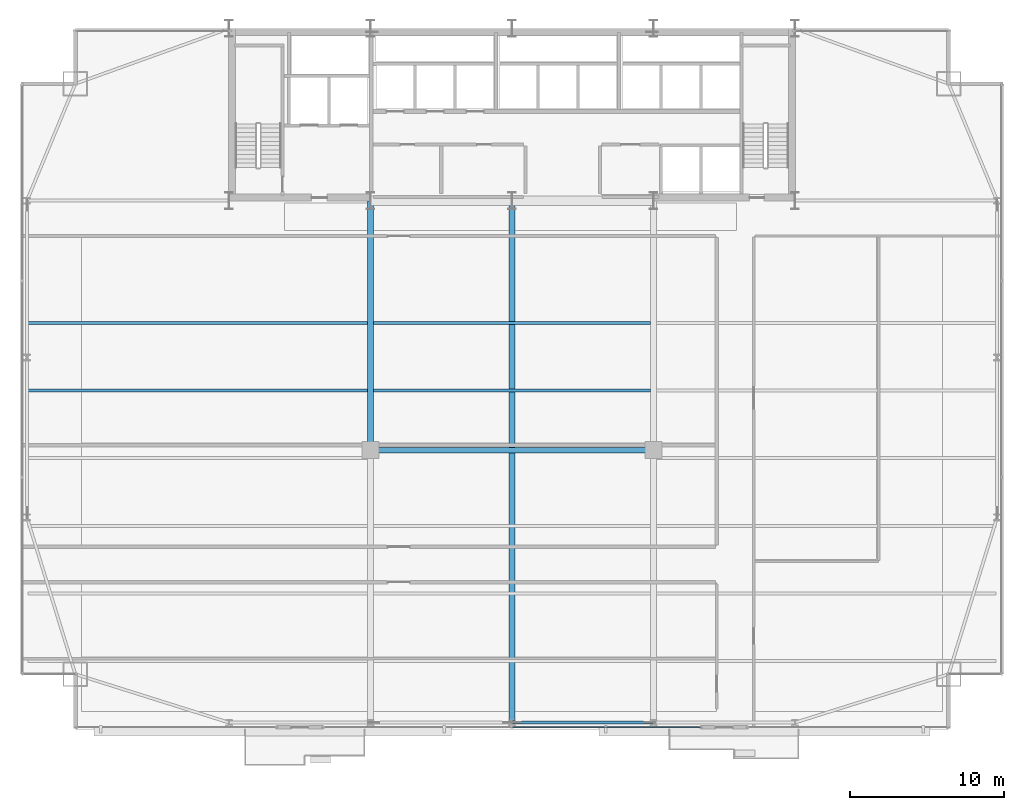
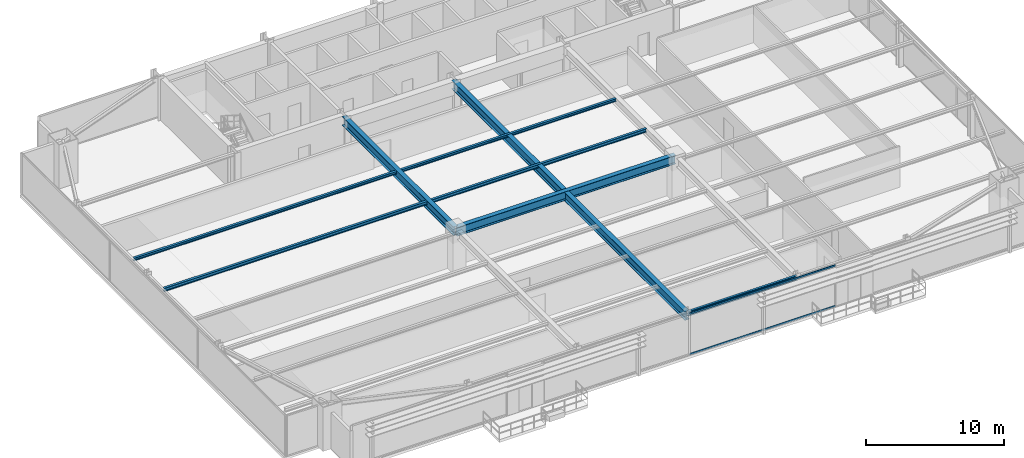
# One storey, part 11 of 31: 8 beams, 2 members, 1 element without a shape of its own.
"""IFC4 building model written with IfcOpenShell, lengths in metres."""

from ifc_helpers import new_model, si_unit, direction, frame, origin, origin_2d, place, context, subcontext, project, spatial, hollow_rectangle, i_section, extrude, source, transform, mapped, material, layer, layer_set, material_profile, profile_set, type_object, type_shapes, element, aggregate, save


model = new_model("IFC4")

# Units and contexts
model_context = context("Model", 3, precision=1e-05, world=origin(), true_north=direction((0.0, 1.0)))
body_context = subcontext(model_context, "Body", "Model", "MODEL_VIEW")
ifc_project = project(units=[si_unit("LENGTHUNIT", "METRE"), si_unit("AREAUNIT", "SQUARE_METRE"), si_unit("VOLUMEUNIT", "CUBIC_METRE"), si_unit("PLANEANGLEUNIT", "RADIAN"), si_unit("MASSUNIT", "GRAM", prefix="KILO")], contexts=[model_context])

# Site, building, storey
site_placement = place(None, origin())
site = spatial("IfcSite", under=ifc_project, at=site_placement, CompositionType="ELEMENT")
building_placement = place(site_placement, origin())
building = spatial("IfcBuilding", under=site, at=building_placement, Name="Varnel Quay Broadcast Tower", CompositionType="ELEMENT")
storey_placement = place(building_placement, frame((0.0, 0.0, 39.300048828125)))
storey = spatial("IfcBuildingStorey", under=building, at=storey_placement, Name="L08", CompositionType="ELEMENT", Elevation=39.300048828125)

# Beams
ifc_material_1 = material(Name="Structural Steel CSA G40.21 350W", Category="steel")
ifc_material_profile_1 = material_profile(ifc_material_1, i_section(OverallWidth=0.180908203125, OverallDepth=0.4169921875, WebThickness=0.010986328125, FlangeThickness=0.018310546875, FilletRadius=0.011962890625, at=origin_2d()), Name="W410X85")
ifc_profile_set_1 = profile_set([ifc_material_profile_1], Name="Structural Steel CSA G40.21 350W")
beam_type_1 = type_object("IfcBeamType", Name="Beam_W410X85", PredefinedType="SPANDREL", material=ifc_profile_set_1)
shared_shape_1 = source(origin(), body_context, "Body", "SweptSolid", [
    extrude(i_section(OverallWidth=0.180908203125, OverallDepth=0.4169921875, WebThickness=0.010986328125, FlangeThickness=0.018310546875, FilletRadius=0.011962890625, at=origin_2d()), origin(), (0.0, 0.0, 1.0), 9.159912109375),
])
type_shapes(beam_type_1, [shared_shape_1])
beam_1_placement = place(storey_placement, frame((34.02001953125, 1.64990234375, 3.44140625), z_axis=(1.0, 0.0, 0.0), x_axis=(0.0, 1.0, 0.0)))
element("IfcBeam", 1, at=beam_1_placement, inside=storey, type_object=beam_type_1, Name="L08 South Spandrel TC-S3-TC-S4", PredefinedType="SPANDREL", context=body_context, shape_type="MappedRepresentation", body=[
    mapped(shared_shape_1, transform((0.0, 0.0, 0.0), x_axis=(1.0, 0.0, 0.0), y_axis=(0.0, 1.0, 0.0), z_axis=(0.0, 0.0, 1.0), scale=1.0)),
])
ifc_material_profile_2 = material_profile(ifc_material_1, i_section(OverallWidth=0.381103515625, OverallDepth=0.77294921875, WebThickness=0.0166015625, FlangeThickness=0.027587890625, FilletRadius=0.01806640625, at=origin_2d()), Name="W760X257")
ifc_profile_set_2 = profile_set([ifc_material_profile_2], Name="Structural Steel CSA G40.21 350W")
beam_type_2 = type_object("IfcBeamType", Name="Girder_W760X257", PredefinedType="BEAM", material=ifc_profile_set_2)
shared_shape_2 = source(origin(), body_context, "Body", "SweptSolid", [
    extrude(i_section(OverallWidth=0.381103515625, OverallDepth=0.77294921875, WebThickness=0.0166015625, FlangeThickness=0.027587890625, FilletRadius=0.01806640625, at=origin_2d()), origin(), (0.0, 0.0, 1.0), 16.190185546875),
])
beam_2_placement = place(storey_placement, frame((24.800048828125, 19.389892578125, 3.263427734375), z_axis=(0.0, 1.0, 0.0), x_axis=(-1.0, 0.0, 0.0)))
element("IfcBeam", 2, at=beam_2_placement, inside=storey, type_object=beam_type_2, Name="L08 Primary Girder IC-01-CC-S2", PredefinedType="BEAM", context=body_context, shape_type="MappedRepresentation", body=[
    mapped(shared_shape_2, transform((0.0, 0.0, 0.0), x_axis=(1.0, 0.0, 0.0), y_axis=(0.0, 1.0, 0.0), z_axis=(0.0, 0.0, 1.0), scale=1.0)),
])
shared_shape_3 = source(origin(), body_context, "Body", "SweptSolid", [
    extrude(i_section(OverallWidth=0.381103515625, OverallDepth=0.77294921875, WebThickness=0.0166015625, FlangeThickness=0.027587890625, FilletRadius=0.01806640625, at=origin_2d()), origin(), (0.0, 0.0, 1.0), 18.35986328125),
])
beam_3_placement = place(storey_placement, frame((24.820068359375, 19.3701171875, 3.263427734375), z_axis=(1.0, 0.0, 0.0), x_axis=(0.0, 1.0, 0.0)))
element("IfcBeam", 3, at=beam_3_placement, inside=storey, type_object=beam_type_2, Name="L08 Interior Spine Girder", PredefinedType="BEAM", context=body_context, shape_type="MappedRepresentation", body=[
    mapped(shared_shape_3, transform((0.0, 0.0, 0.0), x_axis=(1.0, 0.0, 0.0), y_axis=(0.0, 1.0, 0.0), z_axis=(0.0, 0.0, 1.0), scale=1.0)),
])
shared_shape_4 = source(origin(), body_context, "Body", "SweptSolid", [
    extrude(i_section(OverallWidth=0.381103515625, OverallDepth=0.77294921875, WebThickness=0.0166015625, FlangeThickness=0.027587890625, FilletRadius=0.01806640625, at=origin_2d()), origin(), (0.0, 0.0, 1.0), 33.91015625),
])
type_shapes(beam_type_2, [shared_shape_2, shared_shape_3, shared_shape_4])
beam_4_placement = place(storey_placement, frame((34.0, 1.669921875, 3.263427734375), z_axis=(0.0, 1.0, 0.0), x_axis=(-1.0, 0.0, 0.0)))
element("IfcBeam", 4, at=beam_4_placement, inside=storey, type_object=beam_type_2, Name="L08 Central Bay Girder", PredefinedType="BEAM", context=body_context, shape_type="MappedRepresentation", body=[
    mapped(shared_shape_4, transform((0.0, 0.0, 0.0), x_axis=(1.0, 0.0, 0.0), y_axis=(0.0, 1.0, 0.0), z_axis=(0.0, 0.0, 1.0), scale=1.0)),
])
ifc_material_profile_3 = material_profile(ifc_material_1, i_section(OverallWidth=0.202880859375, OverallDepth=0.302978515625, WebThickness=0.007568359375, FlangeThickness=0.01318359375, FilletRadius=0.011962890625, at=origin_2d()), Name="W310X60")
ifc_profile_set_3 = profile_set([ifc_material_profile_3], Name="Structural Steel CSA G40.21 350W")
beam_type_3 = type_object("IfcBeamType", Name="Beam_W310X60", PredefinedType="JOIST", material=ifc_profile_set_3)
shared_shape_5 = source(origin(), body_context, "Body", "SweptSolid", [
    extrude(i_section(OverallWidth=0.202880859375, OverallDepth=0.302978515625, WebThickness=0.007568359375, FlangeThickness=0.01318359375, FilletRadius=0.011962890625, at=origin_2d()), origin(), (0.0, 0.0, 1.0), 22.0791015625),
])
beam_5_placement = place(storey_placement, frame((2.535400390625, 23.25, 3.49853515625), z_axis=(1.0, 0.0, 0.0), x_axis=(0.0, 1.0, 0.0)))
element("IfcBeam", 5, at=beam_5_placement, inside=storey, type_object=beam_type_3, Name="L08 West Floor Joist 5", PredefinedType="JOIST", context=body_context, shape_type="MappedRepresentation", body=[
    mapped(shared_shape_5, transform((0.0, 0.0, 0.0), x_axis=(1.0, 0.0, 0.0), y_axis=(0.0, 1.0, 0.0), z_axis=(0.0, 0.0, 1.0), scale=1.0)),
])
shared_shape_6 = source(origin(), body_context, "Body", "SweptSolid", [
    extrude(i_section(OverallWidth=0.202880859375, OverallDepth=0.302978515625, WebThickness=0.007568359375, FlangeThickness=0.01318359375, FilletRadius=0.011962890625, at=origin_2d()), origin(), (0.0, 0.0, 1.0), 18.02880859375),
])
type_shapes(beam_type_3, [shared_shape_5, shared_shape_6])
beam_6_placement = place(storey_placement, frame((24.985595703125, 23.25, 3.49853515625), z_axis=(1.0, 0.0, 0.0), x_axis=(0.0, 1.0, 0.0)))
element("IfcBeam", 6, at=beam_6_placement, inside=storey, type_object=beam_type_3, Name="L08 Central Floor Joist 5", PredefinedType="JOIST", context=body_context, shape_type="MappedRepresentation", body=[
    mapped(shared_shape_6, transform((0.0, 0.0, 0.0), x_axis=(1.0, 0.0, 0.0), y_axis=(0.0, 1.0, 0.0), z_axis=(0.0, 0.0, 1.0), scale=1.0)),
])
ifc_material_profile_4 = material_profile(ifc_material_1, i_section(OverallWidth=0.201904296875, OverallDepth=0.2470703125, WebThickness=0.00732421875, FlangeThickness=0.010986328125, FilletRadius=0.010986328125, at=origin_2d()), Name="W250X49")
ifc_profile_set_4 = profile_set([ifc_material_profile_4], Name="Structural Steel CSA G40.21 350W")
beam_type_4 = type_object("IfcBeamType", Name="Beam_W250X49", PredefinedType="JOIST", material=ifc_profile_set_4)
shared_shape_7 = source(origin(), body_context, "Body", "SweptSolid", [
    extrude(i_section(OverallWidth=0.201904296875, OverallDepth=0.2470703125, WebThickness=0.00732421875, FlangeThickness=0.010986328125, FilletRadius=0.010986328125, at=origin_2d()), origin(), (0.0, 0.0, 1.0), 22.0791015625),
])
beam_7_placement = place(storey_placement, frame((2.535400390625, 27.64990234375, 3.5263671875), z_axis=(1.0, 0.0, 0.0), x_axis=(0.0, 1.0, 0.0)))
element("IfcBeam", 7, at=beam_7_placement, inside=storey, type_object=beam_type_4, Name="L08 West Floor Joist 6", PredefinedType="JOIST", context=body_context, shape_type="MappedRepresentation", body=[
    mapped(shared_shape_7, transform((0.0, 0.0, 0.0), x_axis=(1.0, 0.0, 0.0), y_axis=(0.0, 1.0, 0.0), z_axis=(0.0, 0.0, 1.0), scale=1.0)),
])
shared_shape_8 = source(origin(), body_context, "Body", "SweptSolid", [
    extrude(i_section(OverallWidth=0.201904296875, OverallDepth=0.2470703125, WebThickness=0.00732421875, FlangeThickness=0.010986328125, FilletRadius=0.010986328125, at=origin_2d()), origin(), (0.0, 0.0, 1.0), 18.02880859375),
])
type_shapes(beam_type_4, [shared_shape_7, shared_shape_8])
beam_8_placement = place(storey_placement, frame((24.985595703125, 27.64990234375, 3.5263671875), z_axis=(1.0, 0.0, 0.0), x_axis=(0.0, 1.0, 0.0)))
element("IfcBeam", 8, at=beam_8_placement, inside=storey, type_object=beam_type_4, Name="L08 Central Floor Joist 6", PredefinedType="JOIST", context=body_context, shape_type="MappedRepresentation", body=[
    mapped(shared_shape_8, transform((0.0, 0.0, 0.0), x_axis=(1.0, 0.0, 0.0), y_axis=(0.0, 1.0, 0.0), z_axis=(0.0, 0.0, 1.0), scale=1.0)),
])

# Curtain wall, members
ifc_material_2 = material(Name="Anodised Bronze Aluminium 6063-T6", Category="aluminium")
ifc_layer = layer(ifc_material_2, 0.18994140625, Name="Anodised Bronze Aluminium 6063-T6")
ifc_layer_set = layer_set([ifc_layer], Name="Anodised Bronze Aluminium 6063-T6")
curtain_wall_type = type_object("IfcCurtainWallType", Name="CW_LowerTower", PredefinedType="NOTDEFINED", material=ifc_layer_set)
curtain_wall_placement = place(storey_placement, origin())
curtain_wall = element("IfcCurtainWall", 9, at=curtain_wall_placement, inside=storey, type_object=curtain_wall_type, Name="L08 South Unitised Curtain Wall 2", PredefinedType="NOTDEFINED")
ifc_material_profile_5 = material_profile(ifc_material_2, hollow_rectangle(XDim=0.06005859375, YDim=0.14501953125, WallThickness=0.00341796875, at=origin_2d()), Name="ALU60X145X3.5")
ifc_profile_set_5 = profile_set([ifc_material_profile_5], Name="Anodised Bronze Aluminium 6063-T6")
member_type = type_object("IfcMemberType", Name="Tran_CWS-02", PredefinedType="USERDEFINED", material=ifc_profile_set_5)
shared_shape_9 = source(origin(), body_context, "Body", "SweptSolid", [
    extrude(hollow_rectangle(XDim=0.06005859375, YDim=0.14501953125, WallThickness=0.00341796875, at=origin_2d()), origin(), (0.0, 0.0, 1.0), 12.215087890625),
])
type_shapes(member_type, [shared_shape_9])
member_1_placement = place(storey_placement, frame((34.034912109375, 1.35009765625, 0.030029296875), z_axis=(1.0, 0.0, 0.0), x_axis=(0.0, 1.0, 0.0)))
member_1 = element("IfcMember", 10, at=member_1_placement, type_object=member_type, Name="CWS-02 transom 2.1", ObjectType="TRANSOM", PredefinedType="USERDEFINED", context=body_context, shape_type="MappedRepresentation", body=[
    mapped(shared_shape_9, transform((0.0, 0.0, 0.0), x_axis=(1.0, 0.0, 0.0), y_axis=(0.0, 1.0, 0.0), z_axis=(0.0, 0.0, 1.0), scale=1.0)),
])
member_2_placement = place(storey_placement, frame((34.034912109375, 1.35009765625, 3.619873046875), z_axis=(1.0, 0.0, 0.0), x_axis=(0.0, 1.0, 0.0)))
member_2 = element("IfcMember", 11, at=member_2_placement, type_object=member_type, Name="CWS-02 transom 2.2", ObjectType="TRANSOM", PredefinedType="USERDEFINED", context=body_context, shape_type="MappedRepresentation", body=[
    mapped(shared_shape_9, transform((0.0, 0.0, 0.0), x_axis=(1.0, 0.0, 0.0), y_axis=(0.0, 1.0, 0.0), z_axis=(0.0, 0.0, 1.0), scale=1.0)),
])
aggregate(curtain_wall, [member_1, member_2])

save(model, "model.ifc")
